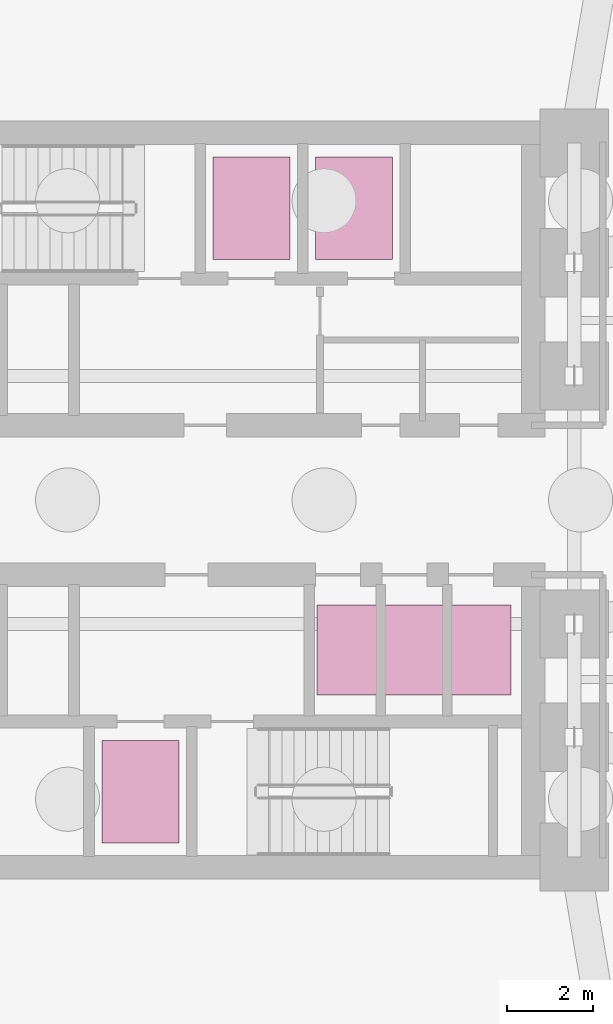
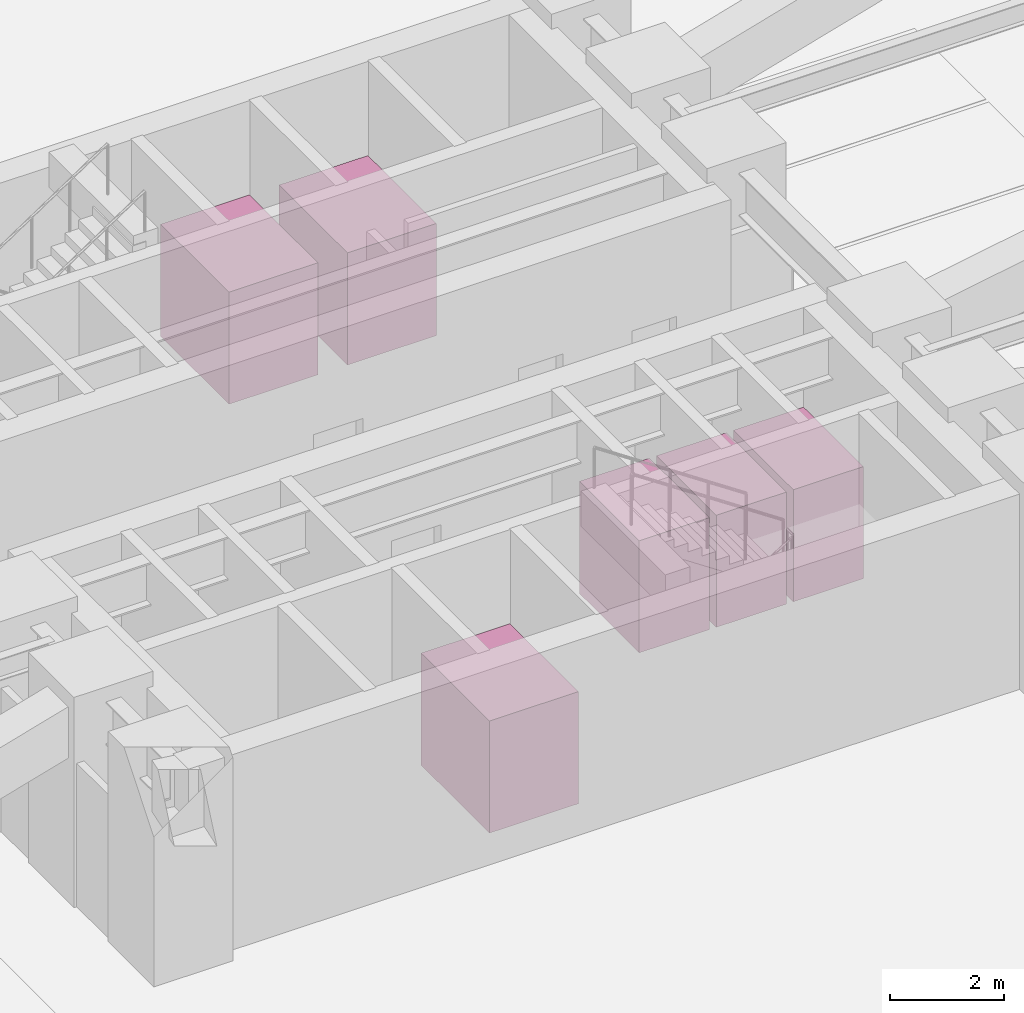
# One storey, part 14 of 14: 6 transport elements.
"""IFC4 building model written with IfcOpenShell, lengths in metres."""

from ifc_helpers import new_model, si_unit, direction, frame, origin, origin_2d, place, context, subcontext, project, spatial, rectangle, extrude, material, type_object, element, save


model = new_model("IFC4")

# Units and contexts
model_context = context("Model", 3, precision=1e-05, world=origin(), true_north=direction((0.0, 1.0)))
body_context = subcontext(model_context, "Body", "Model", "MODEL_VIEW")
ifc_project = project(units=[si_unit("LENGTHUNIT", "METRE"), si_unit("AREAUNIT", "SQUARE_METRE"), si_unit("VOLUMEUNIT", "CUBIC_METRE"), si_unit("PLANEANGLEUNIT", "RADIAN"), si_unit("MASSUNIT", "GRAM", prefix="KILO")], contexts=[model_context])

# Site, building, storey
site_placement = place(None, origin())
site = spatial("IfcSite", under=ifc_project, at=site_placement, CompositionType="ELEMENT")
building_placement = place(site_placement, origin())
building = spatial("IfcBuilding", under=site, at=building_placement, Name="Solmarez Civic Tower", CompositionType="ELEMENT")
storey_placement = place(building_placement, frame((0.0, 0.0, -9.0)))
storey = spatial("IfcBuildingStorey", under=building, at=storey_placement, Name="B2", CompositionType="ELEMENT", Elevation=-9.0)

# Transport elements
ifc_material = material(Name="Brushed Bronze and Stainless Steel Elevator Cab", Category="steel")
transport_element_type_1 = type_object("IfcTransportElementType", Name="LIFT-FFL-1800X2400", PredefinedType="ELEVATOR", material=ifc_material)
for number, where, z_axis, x_axis, name in (
    (1, (1.300048828125, 6.820068359375, 0.0), (0.0, 0.0, 1.0), (1.0, 0.0, 0.0), "Elevator Car FFL-1"),
    (2, (-1.300048828125, -6.820068359375, 0.0), (0.0, 0.0, 1.0), (1.0, 0.0, 0.0), "Elevator Car FFL-2"),
):
    element("IfcTransportElement", number, at=place(storey_placement, frame(where, z_axis=z_axis, x_axis=x_axis)), inside=storey, type_object=transport_element_type_1, Name=name, PredefinedType="ELEVATOR", context=body_context, shape_type="SweptSolid", body=[
        extrude(rectangle(XDim=1.800048828125, YDim=2.39990234375, at=origin_2d()), origin(), (0.0, 0.0, 1.0), 2.39990234375),
    ])
transport_element_type_2 = type_object("IfcTransportElementType", Name="LIFT-PAX-1420X2100", PredefinedType="ELEVATOR", material=ifc_material)
for number, where, z_axis, x_axis, name in (
    (3, (3.5400390625, -3.510009765625, 0.0), (0.0, 0.0, 1.0), (1.0, 0.0, 0.0), "Elevator Car PL-L1"),
    (4, (5.10009765625, -3.510009765625, 0.0), (0.0, 0.0, 1.0), (1.0, 0.0, 0.0), "Elevator Car PL-L2"),
    (5, (6.659912109375, -3.510009765625, 0.0), (0.0, 0.0, 1.0), (1.0, 0.0, 0.0), "Elevator Car PL-L3"),
):
    element("IfcTransportElement", number, at=place(storey_placement, frame(where, z_axis=z_axis, x_axis=x_axis)), inside=storey, type_object=transport_element_type_2, Name=name, PredefinedType="ELEVATOR", context=body_context, shape_type="SweptSolid", body=[
        extrude(rectangle(XDim=1.419921875, YDim=2.10009765625, at=origin_2d()), origin(), (0.0, 0.0, 1.0), 2.39990234375),
    ])
transport_element_type_3 = type_object("IfcTransportElementType", Name="LIFT-SVL-1800X2400", PredefinedType="ELEVATOR", material=ifc_material)
transport_element_placement = place(storey_placement, frame((3.699951171875, 6.820068359375, 0.0), z_axis=(0.0, 0.0, 1.0), x_axis=(1.0, 0.0, 0.0)))
element("IfcTransportElement", 6, at=transport_element_placement, inside=storey, type_object=transport_element_type_3, Name="Elevator Car SVL-1", PredefinedType="ELEVATOR", context=body_context, shape_type="SweptSolid", body=[
    extrude(rectangle(XDim=1.800048828125, YDim=2.39990234375, at=origin_2d()), origin(), (0.0, 0.0, 1.0), 2.39990234375),
])

save(model, "model.ifc")
